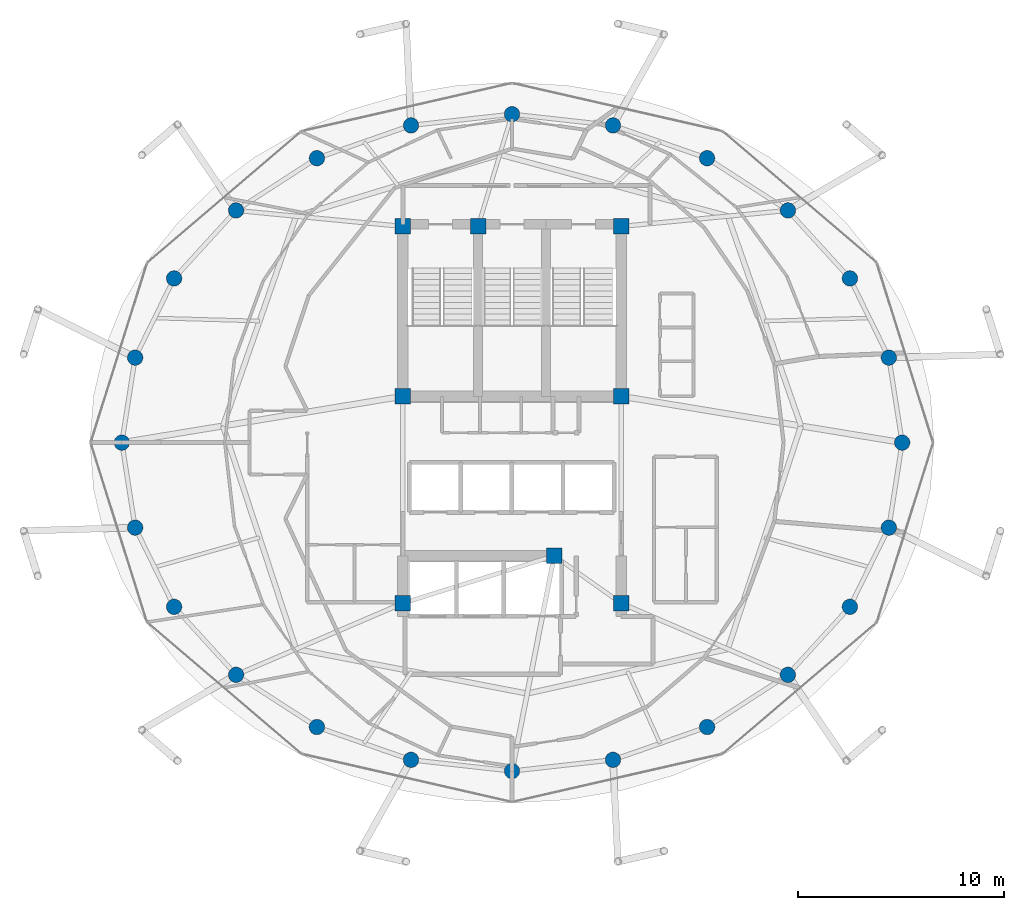
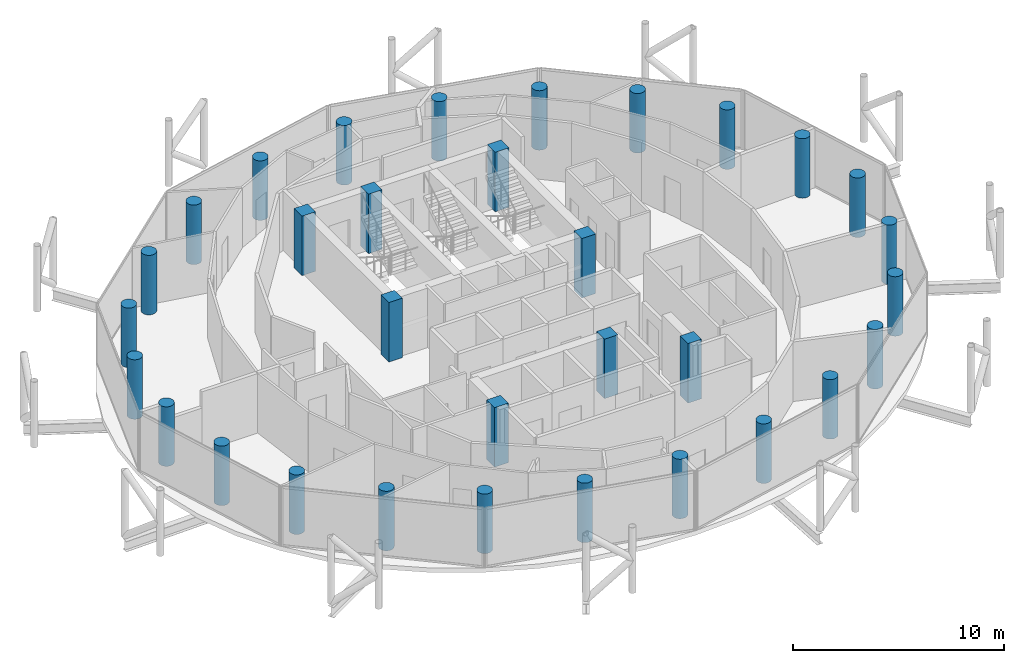
# One storey, part 1 of 24: 32 columns.
"""IFC4 building model written with IfcOpenShell, lengths in metres."""

from ifc_helpers import new_model, si_unit, direction, frame, origin, origin_2d, place, context, subcontext, project, spatial, rectangle, circle, extrude, material, material_profile, profile_set, type_object, element, save


model = new_model("IFC4")

# Units and contexts
model_context = context("Model", 3, precision=1e-05, world=origin(), true_north=direction((0.0, 1.0)))
body_context = subcontext(model_context, "Body", "Model", "MODEL_VIEW")
ifc_project = project(units=[si_unit("LENGTHUNIT", "METRE"), si_unit("AREAUNIT", "SQUARE_METRE"), si_unit("VOLUMEUNIT", "CUBIC_METRE"), si_unit("PLANEANGLEUNIT", "RADIAN"), si_unit("MASSUNIT", "GRAM", prefix="KILO")], contexts=[model_context])

# Site, building, storey
site_placement = place(None, origin())
site = spatial("IfcSite", under=ifc_project, at=site_placement, CompositionType="ELEMENT")
building_placement = place(site_placement, origin())
building = spatial("IfcBuilding", under=site, at=building_placement, Name="Nuhasar Tower", CompositionType="ELEMENT")
storey_placement = place(building_placement, frame((0.0, 0.0, 297.39990234375)))
storey = spatial("IfcBuildingStorey", under=building, at=storey_placement, Name="L74", CompositionType="ELEMENT", Elevation=297.39990234375)

# Columns
ifc_material = material(Name="Concrete C50/60", Category="concrete")
ifc_material_profile_1 = material_profile(ifc_material, circle(Radius=0.375, at=origin_2d()), Name="CFT750")
ifc_profile_set_1 = profile_set([ifc_material_profile_1], Name="Concrete C50/60")
column_type_1 = type_object("IfcColumnType", Name="COL-CFT-750", PredefinedType="COLUMN", material=ifc_profile_set_1)
for number, where, z_axis, x_axis, name in (
    (1, (57.949951171875, 26.800048828125, 0.0), (0.0, 0.0, 1.0), (1.0, 0.0, 0.0), "L74 Perimeter Composite Column TC-01"),
    (2, (57.303955078125, 30.927978515625, 0.0), (0.0, 0.0, 1.0), (1.0, 0.0, 0.0), "L74 Perimeter Composite Column TC-02"),
    (3, (55.410888671875, 34.77490234375, 0.0), (0.0, 0.0, 1.0), (1.0, 0.0, 0.0), "L74 Perimeter Composite Column TC-03"),
    (4, (52.39990234375, 38.077880859375, 0.0), (0.0, 0.0, 1.0), (1.0, 0.0, 0.0), "L74 Perimeter Composite Column TC-04"),
    (5, (48.47509765625, 40.613037109375, 0.0), (0.0, 0.0, 1.0), (1.0, 0.0, 0.0), "L74 Perimeter Composite Column TC-05"),
    (6, (43.905029296875, 42.20703125, 0.0), (0.0, 0.0, 1.0), (1.0, 0.0, 0.0), "L74 Perimeter Composite Column TC-06"),
    (7, (39.0, 42.75, 0.0), (0.0, 0.0, 1.0), (1.0, 0.0, 0.0), "L74 Perimeter Composite Column TC-07"),
    (8, (34.094970703125, 42.20703125, 0.0), (0.0, 0.0, 1.0), (1.0, 0.0, 0.0), "L74 Perimeter Composite Column TC-08"),
    (9, (29.52490234375, 40.613037109375, 0.0), (0.0, 0.0, 1.0), (1.0, 0.0, 0.0), "L74 Perimeter Composite Column TC-09"),
    (10, (25.60009765625, 38.077880859375, 0.0), (0.0, 0.0, 1.0), (1.0, 0.0, 0.0), "L74 Perimeter Composite Column TC-10"),
    (11, (22.589111328125, 34.77490234375, 0.0), (0.0, 0.0, 1.0), (1.0, 0.0, 0.0), "L74 Perimeter Composite Column TC-11"),
    (12, (20.696044921875, 30.927978515625, 0.0), (0.0, 0.0, 1.0), (1.0, 0.0, 0.0), "L74 Perimeter Composite Column TC-12"),
    (13, (20.050048828125, 26.800048828125, 0.0), (0.0, 0.0, 1.0), (1.0, 0.0, 0.0), "L74 Perimeter Composite Column TC-13"),
    (14, (20.696044921875, 22.672119140625, 0.0), (0.0, 0.0, 1.0), (1.0, 0.0, 0.0), "L74 Perimeter Composite Column TC-14"),
    (15, (22.589111328125, 18.824951171875, 0.0), (0.0, 0.0, 1.0), (1.0, 0.0, 0.0), "L74 Perimeter Composite Column TC-15"),
    (16, (25.60009765625, 15.52197265625, 0.0), (0.0, 0.0, 1.0), (1.0, 0.0, 0.0), "L74 Perimeter Composite Column TC-16"),
    (17, (29.52490234375, 12.987060546875, 0.0), (0.0, 0.0, 1.0), (1.0, 0.0, 0.0), "L74 Perimeter Composite Column TC-17"),
    (18, (34.094970703125, 11.39306640625, 0.0), (0.0, 0.0, 1.0), (1.0, 0.0, 0.0), "L74 Perimeter Composite Column TC-18"),
    (19, (39.0, 10.85009765625, 0.0), (0.0, 0.0, 1.0), (1.0, 0.0, 0.0), "L74 Perimeter Composite Column TC-19"),
    (20, (43.905029296875, 11.39306640625, 0.0), (0.0, 0.0, 1.0), (1.0, 0.0, 0.0), "L74 Perimeter Composite Column TC-20"),
    (21, (48.47509765625, 12.987060546875, 0.0), (0.0, 0.0, 1.0), (1.0, 0.0, 0.0), "L74 Perimeter Composite Column TC-21"),
    (22, (52.39990234375, 15.52197265625, 0.0), (0.0, 0.0, 1.0), (1.0, 0.0, 0.0), "L74 Perimeter Composite Column TC-22"),
    (23, (55.410888671875, 18.824951171875, 0.0), (0.0, 0.0, 1.0), (1.0, 0.0, 0.0), "L74 Perimeter Composite Column TC-23"),
    (24, (57.303955078125, 22.672119140625, 0.0), (0.0, 0.0, 1.0), (1.0, 0.0, 0.0), "L74 Perimeter Composite Column TC-24"),
):
    element("IfcColumn", number, at=place(storey_placement, frame(where, z_axis=z_axis, x_axis=x_axis)), inside=storey, type_object=column_type_1, Name=name, PredefinedType="COLUMN", context=body_context, shape_type="SweptSolid", body=[
        extrude(circle(Radius=0.375, at=origin_2d()), origin(), (0.0, 0.0, 1.0), 3.4501953125),
    ])
ifc_material_profile_2 = material_profile(ifc_material, rectangle(XDim=0.75, YDim=0.75, at=origin_2d()), Name="RC750X750")
ifc_profile_set_2 = profile_set([ifc_material_profile_2], Name="Concrete C50/60")
column_type_2 = type_object("IfcColumnType", Name="PIL-RC-750", PredefinedType="PILASTER", material=ifc_profile_set_2)
for number, where, z_axis, x_axis, name in (
    (25, (33.699951171875, 19.0, 0.0), (0.0, 0.0, 1.0), (1.0, 0.0, 0.0), "L74 Core Boundary Pilaster CC-01"),
    (26, (41.050048828125, 21.300048828125, 0.0), (0.0, 0.0, 1.0), (1.0, 0.0, 0.0), "L74 Core Boundary Pilaster CC-02"),
    (27, (44.300048828125, 19.0, 0.0), (0.0, 0.0, 1.0), (1.0, 0.0, 0.0), "L74 Core Boundary Pilaster CC-03"),
    (28, (44.300048828125, 29.050048828125, 0.0), (0.0, 0.0, 1.0), (1.0, 0.0, 0.0), "L74 Core Boundary Pilaster CC-04"),
    (29, (44.300048828125, 37.300048828125, 0.0), (0.0, 0.0, 1.0), (1.0, 0.0, 0.0), "L74 Core Boundary Pilaster CC-05"),
    (30, (37.35009765625, 37.300048828125, 0.0), (0.0, 0.0, 1.0), (1.0, 0.0, 0.0), "L74 Core Boundary Pilaster CC-06"),
    (31, (33.699951171875, 37.300048828125, 0.0), (0.0, 0.0, 1.0), (1.0, 0.0, 0.0), "L74 Core Boundary Pilaster CC-07"),
    (32, (33.699951171875, 29.050048828125, 0.0), (0.0, 0.0, 1.0), (1.0, 0.0, 0.0), "L74 Core Boundary Pilaster CC-08"),
):
    element("IfcColumn", number, at=place(storey_placement, frame(where, z_axis=z_axis, x_axis=x_axis)), inside=storey, type_object=column_type_2, Name=name, PredefinedType="PILASTER", context=body_context, shape_type="SweptSolid", body=[
        extrude(rectangle(XDim=0.75, YDim=0.75, at=origin_2d()), origin(), (0.0, 0.0, 1.0), 3.4501953125),
    ])

save(model, "model.ifc")
